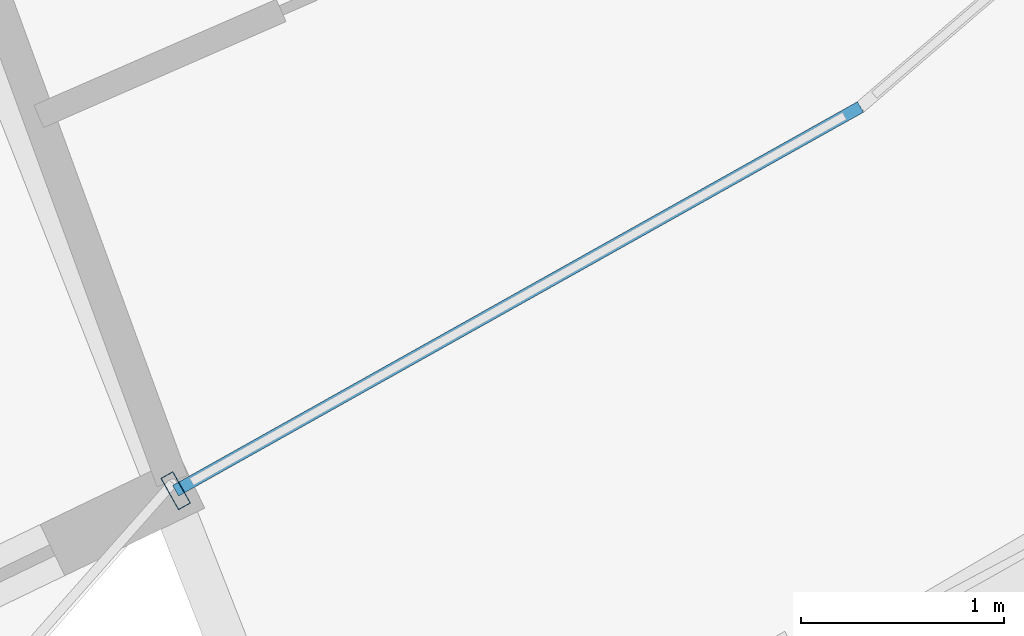
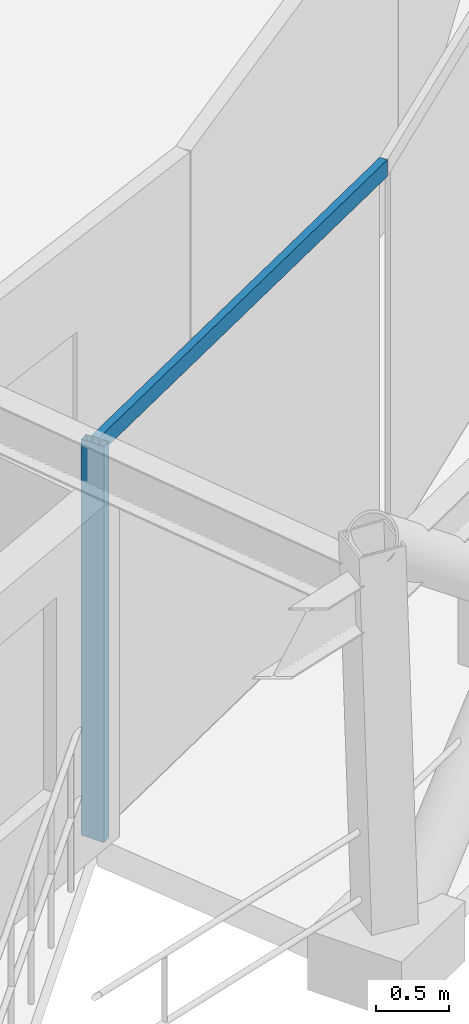
# One storey, part 2 of 15: 2 members, 1 element without a shape of its own.
"""IFC4 building model written with IfcOpenShell, lengths in metres."""

from ifc_helpers import new_model, si_unit, direction, frame, origin, origin_2d, place, context, subcontext, project, spatial, hollow_rectangle, extrude, material, layer, layer_set, material_profile, profile_set, type_object, element, aggregate, save


model = new_model("IFC4")

# Units and contexts
model_context = context("Model", 3, precision=1e-05, world=origin(), true_north=direction((0.0, 1.0)))
body_context = subcontext(model_context, "Body", "Model", "MODEL_VIEW")
ifc_project = project(units=[si_unit("LENGTHUNIT", "METRE"), si_unit("AREAUNIT", "SQUARE_METRE"), si_unit("VOLUMEUNIT", "CUBIC_METRE"), si_unit("PLANEANGLEUNIT", "RADIAN"), si_unit("MASSUNIT", "GRAM", prefix="KILO")], contexts=[model_context])

# Site, building, storey
site_placement = place(None, origin())
site = spatial("IfcSite", under=ifc_project, at=site_placement, CompositionType="ELEMENT")
building_placement = place(site_placement, origin())
building = spatial("IfcBuilding", under=site, at=building_placement, Name="Veldorina Hangang Commons", CompositionType="ELEMENT")
storey_placement = place(building_placement, frame((0.0, 0.0, 261.60009765625)))
storey = spatial("IfcBuildingStorey", under=building, at=storey_placement, Name="L68", CompositionType="ELEMENT", Elevation=261.60009765625)

# Curtain wall, members
ifc_material_1 = material(Name="Glass Low-E Selective", Category="glass")
ifc_layer = layer(ifc_material_1, 0.179931640625)
ifc_layer_set = layer_set([ifc_layer], Name="Glass Low-E Selective")
curtain_wall_type = type_object("IfcCurtainWallType", Name="CW-SYS-Z3", PredefinedType="NOTDEFINED", material=ifc_layer_set)
curtain_wall_placement = place(storey_placement, origin())
curtain_wall = element("IfcCurtainWall", 1, at=curtain_wall_placement, inside=storey, type_object=curtain_wall_type, Name="L68 unitised curtain wall CW-L68-R1", PredefinedType="NOTDEFINED")
ifc_material_2 = material(Name="Aluminium Anodized AA6063-T6", Category="aluminium")
ifc_material_profile_1 = material_profile(ifc_material_2, hollow_rectangle(XDim=0.070068359375, YDim=0.179931640625, WallThickness=0.00390625, at=origin_2d()), Name="ALU-RHS-180x70x4")
ifc_profile_set_1 = profile_set([ifc_material_profile_1], Name="Aluminium Anodized AA6063-T6")
member_type_1 = type_object("IfcMemberType", Name="CW-MUL-180", PredefinedType="MULLION", material=ifc_profile_set_1)
member_1_placement = place(storey_placement, frame((39.4833984375, 5.059326171875, 0.0), z_axis=(0.0, 0.0, 1.0), x_axis=(0.872368056432, 0.48884964367, 0.0)))
member_1 = element("IfcMember", 2, at=member_1_placement, type_object=member_type_1, Name="CW-L68-R1 vertical mullion 1", PredefinedType="MULLION", context=body_context, shape_type="SweptSolid", body=[
    extrude(hollow_rectangle(XDim=0.070068359375, YDim=0.179931640625, WallThickness=0.00390625, at=origin_2d()), origin(), (0.0, 0.0, 1.0), 3.31982421875),
])
ifc_material_profile_2 = material_profile(ifc_material_2, hollow_rectangle(XDim=0.06005859375, YDim=0.139892578125, WallThickness=0.00341796875, at=origin_2d()), Name="ALU-RHS-140x60x3.5")
ifc_profile_set_2 = profile_set([ifc_material_profile_2], Name="Aluminium Anodized AA6063-T6")
member_type_2 = type_object("IfcMemberType", Name="CW-TRN-140", PredefinedType="USERDEFINED", material=ifc_profile_set_2)
member_2_placement = place(storey_placement, frame((39.4833984375, 5.059326171875, 3.27978515625), z_axis=(0.872368479798, 0.48884888816, 0.0), x_axis=(-0.48884888816, 0.872368479798, 0.0)))
member_2 = element("IfcMember", 3, at=member_2_placement, type_object=member_type_2, Name="CW-L68-R1 facet 1 transom 1", ObjectType="TRANSOM", PredefinedType="USERDEFINED", context=body_context, shape_type="SweptSolid", body=[
    extrude(hollow_rectangle(XDim=0.06005859375, YDim=0.139892578125, WallThickness=0.00341796875, at=origin_2d()), origin(), (0.0, 0.0, 1.0), 3.87548828125),
])
aggregate(curtain_wall, [member_1, member_2])

save(model, "model.ifc")
